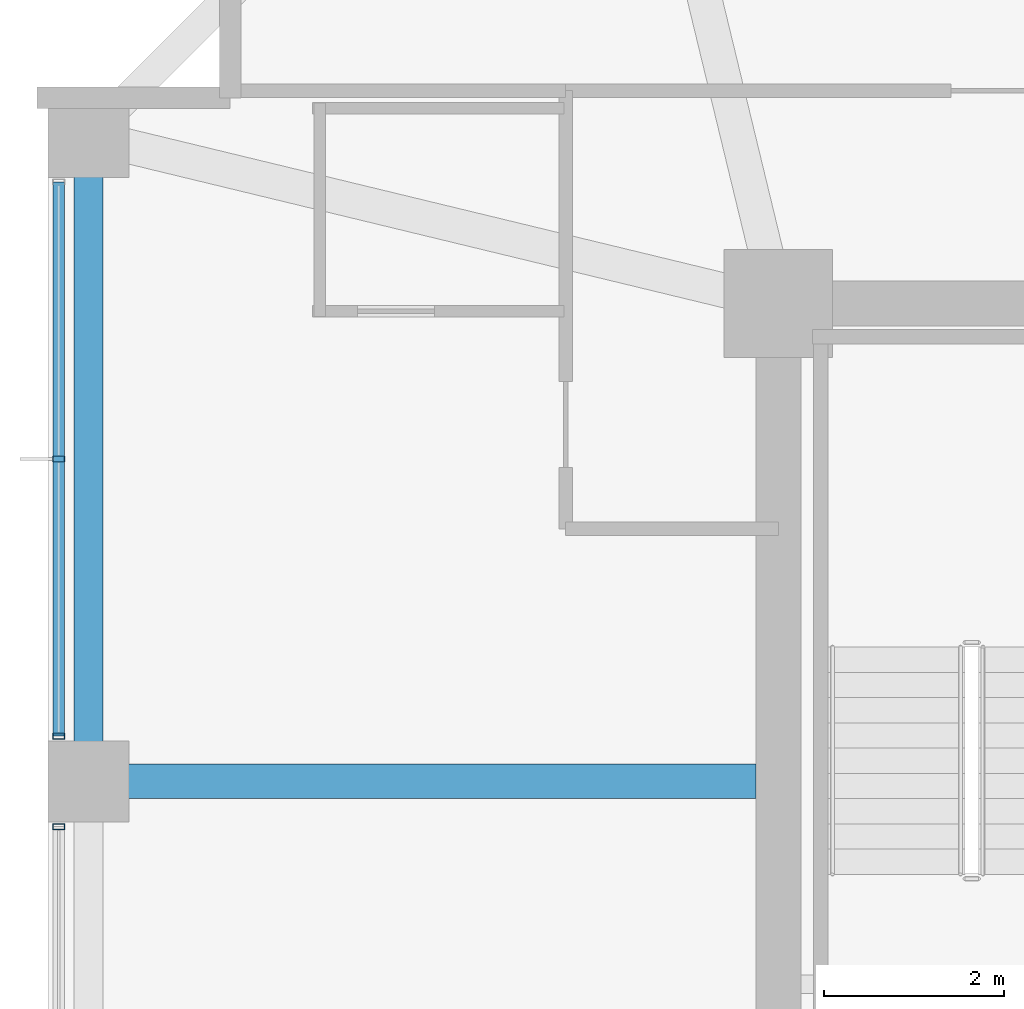
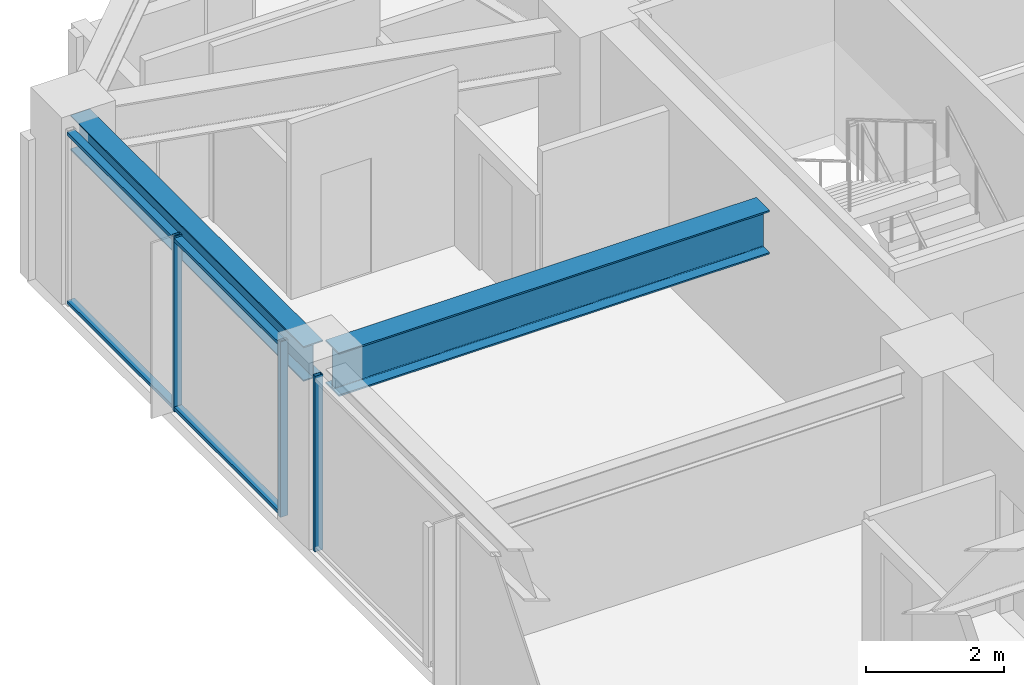
# One storey, part 11 of 31: 5 members, 2 beams, 2 elements without a shape of their own.
"""IFC4 building model written with IfcOpenShell, lengths in metres."""

import ifcopenshell
import ifcopenshell.guid

model = None  # the IFC model being written
_history = None  # IfcOwnerHistory: only IFC2X3 demands one
_inside = {}  # id of a spatial element -> (the spatial element, [elements in it])
_under = {}  # id of a project, library or spatial element -> (it, [spatial elements below it])
_declared = {}  # id of a project -> (the project, [libraries it declares])
_typed = {}  # id of a type object -> (the type object, [elements of that type])
_made_of = {}  # id of a material, layer set ... -> (it, [elements and type objects made of it])


def new_model(schema):
    """Start an empty IFC model of exactly this schema.

    Asked for "IFC4X3", IfcOpenShell would pick the latest addendum, in which some entities
    have other attributes; the version numbers below select the first issue.
    IFC2X3 requires an IfcOwnerHistory on every rooted entity: one is made here for all.
    """
    global model, _history
    if schema == "IFC4X3":
        model = ifcopenshell.file(schema_version=(4, 3, 0, 0))
    else:
        model = ifcopenshell.file(schema=schema)
    _inside.clear()
    _under.clear()
    _declared.clear()
    _typed.clear()
    _made_of.clear()
    _history = None
    if model.schema == "IFC2X3":
        org = make("IfcOrganization", Name="unknown")
        user = make(
            "IfcPersonAndOrganization",
            ThePerson=make("IfcPerson", FamilyName="unknown"),
            TheOrganization=org,
        )
        app = make(
            "IfcApplication",
            ApplicationDeveloper=org,
            Version="unknown",
            ApplicationFullName="unknown",
            ApplicationIdentifier="unknown",
        )
        _history = make(
            "IfcOwnerHistory",
            OwningUser=user,
            OwningApplication=app,
            ChangeAction="ADDED",
            CreationDate=0,
        )
    return model


def make(cls, **values):
    """One entity of the class cls with the attributes given. An attribute that is None is left unset."""
    return model.create_entity(
        cls, **{name: value for name, value in values.items() if value is not None}
    )


def rooted(cls, **values):
    """An entity with a GlobalId (a new one), such as an element, a storey or a relation."""
    return make(cls, GlobalId=ifcopenshell.guid.new(), OwnerHistory=_history, **values)


def si_unit(unit_type, name, prefix=None):
    """IfcSIUnit, for example si_unit("LENGTHUNIT", "METRE", prefix="MILLI")."""
    return make("IfcSIUnit", UnitType=unit_type, Prefix=prefix, Name=name)


def assignment(units):
    """IfcUnitAssignment: the units of a project."""
    return None if units is None else make("IfcUnitAssignment", Units=units)


def point(xyz):
    """IfcCartesianPoint."""
    return None if xyz is None else make("IfcCartesianPoint", Coordinates=xyz)


def direction(xyz):
    """IfcDirection."""
    return None if xyz is None else make("IfcDirection", DirectionRatios=xyz)


def frame(location, z_axis=None, x_axis=None):
    """IfcAxis2Placement3D, a coordinate frame: its origin and axes. An axis left out is left unset."""
    return make(
        "IfcAxis2Placement3D",
        Location=point(location),
        Axis=direction(z_axis),
        RefDirection=direction(x_axis),
    )


def frame_2d(location, x_axis=None):
    """IfcAxis2Placement2D, a coordinate frame in the plane: its origin and x axis."""
    return make(
        "IfcAxis2Placement2D", Location=point(location), RefDirection=direction(x_axis)
    )


def origin():
    """The frame at (0, 0, 0) with its axes left unset."""
    return frame((0.0, 0.0, 0.0))


def origin_2d():
    """The frame at (0, 0) in the plane with its x axis left unset."""
    return frame_2d((0.0, 0.0))


def place(relative_to, where):
    """IfcLocalPlacement: puts the frame where relative to a parent placement (None: the world)."""
    return make(
        "IfcLocalPlacement", PlacementRelTo=relative_to, RelativePlacement=where
    )


def context(
    kind, dimensions, precision=None, world=None, true_north=None, identifier=None
):
    """IfcGeometricRepresentationContext, for example the 3D "Model" context."""
    return make(
        "IfcGeometricRepresentationContext",
        ContextIdentifier=identifier,
        ContextType=kind,
        CoordinateSpaceDimension=dimensions,
        Precision=precision,
        WorldCoordinateSystem=world,
        TrueNorth=true_north,
    )


def subcontext(parent, identifier, kind, view, scale=None):
    """IfcGeometricRepresentationSubContext, for example "Body" below "Model"."""
    return make(
        "IfcGeometricRepresentationSubContext",
        ContextIdentifier=identifier,
        ContextType=kind,
        ParentContext=parent,
        TargetScale=scale,
        TargetView=view,
    )


def project(units=None, contexts=None):
    """IfcProject with its units and contexts."""
    return rooted(
        "IfcProject",
        Name="project",
        RepresentationContexts=contexts,
        UnitsInContext=assignment(units),
    )


def spatial(cls, under=None, at=None, **own):
    """A site, building, storey or space (cls), placed at a placement, below another one or the project."""
    s = rooted(cls, ObjectPlacement=at, **own)
    if under is not None:
        _under.setdefault(under.id(), (under, []))[1].append(s)
    return s


def profile(cls, at=None, kind="AREA", **sizes):
    """A parametric profile (cls). Its sizes go by their IFC names, for example OverallWidth=200.0."""
    return make(cls, ProfileType=kind, Position=at, **sizes)


def hollow_rectangle(**sizes):
    """IfcRectangleHollowProfileDef."""
    return profile("IfcRectangleHollowProfileDef", **sizes)


def i_section(**sizes):
    """IfcIShapeProfileDef."""
    return profile("IfcIShapeProfileDef", **sizes)


def extrude(swept, where, along, depth):
    """IfcExtrudedAreaSolid: the profile swept, set in the frame where, extruded along a direction by depth."""
    return make(
        "IfcExtrudedAreaSolid",
        SweptArea=swept,
        Position=where,
        ExtrudedDirection=direction(along),
        Depth=depth,
    )


def shape(context_of_items, identifier, shape_type, items):
    """IfcShapeRepresentation: the items that make up one representation, for example the "Body"."""
    return make(
        "IfcShapeRepresentation",
        ContextOfItems=context_of_items,
        RepresentationIdentifier=identifier,
        RepresentationType=shape_type,
        Items=items,
    )


def material(Name=None, Category=None):
    """IfcMaterial."""
    return make("IfcMaterial", Name=Name, Category=Category)


def material_profile(
    of_material, cross_section, Name=None, Category=None, Priority=None
):
    """IfcMaterialProfile: a cross section and its material."""
    return make(
        "IfcMaterialProfile",
        Name=Name,
        Material=of_material,
        Profile=cross_section,
        Priority=Priority,
        Category=Category,
    )


def profile_set(profiles, Name=None, composite=None):
    """IfcMaterialProfileSet."""
    return make(
        "IfcMaterialProfileSet",
        Name=Name,
        MaterialProfiles=profiles,
        CompositeProfile=composite,
    )


def made_of(thing, what):
    """Note that an element or type object is made of a material, layer set ...; save() writes the relation."""
    if what is not None:
        _made_of.setdefault(what.id(), (what, []))[1].append(thing)
    return thing


def type_object(cls, material=None, **own):
    """A type object (cls), such as IfcWallType, which elements share."""
    return made_of(rooted(cls, **own), material)


def element(
    cls,
    number,
    at=None,
    inside=None,
    cuts=None,
    type_object=None,
    material=None,
    context=None,
    identifier="Body",
    shape_type=None,
    held_by="IfcProductDefinitionShape",
    body=None,
    shapes=None,
    **own,
):
    """One element of the class cls, such as IfcWall. Its Tag is "e" and its number.

    at: its placement. inside: the storey or other place that contains it. cuts: it is an
    opening in that element (IfcRelVoidsElement). A single representation is given by context,
    identifier, shape_type and body (its items); several are given by shapes. held_by: the class
    of the entity that holds the representations. save() writes the other relations.
    """
    e = rooted(cls, Tag="e%d" % number, ObjectPlacement=at, **own)
    if body is not None:
        shapes = [shape(context, identifier, shape_type, body)]
    if shapes is not None:
        e.Representation = make(held_by, Representations=shapes)
    if inside is not None:
        _inside.setdefault(inside.id(), (inside, []))[1].append(e)
    if cuts is not None:
        rooted(
            "IfcRelVoidsElement", RelatingBuildingElement=cuts, RelatedOpeningElement=e
        )
    if type_object is not None:
        _typed.setdefault(type_object.id(), (type_object, []))[1].append(e)
    return made_of(e, material)


def aggregate(whole, parts):
    """IfcRelAggregates: a whole, such as a stair, and the parts it consists of."""
    return rooted("IfcRelAggregates", RelatingObject=whole, RelatedObjects=parts)


def save(model, path):
    """Write the relations noted so far, then the file.

    IfcRelAggregates (storeys below a building ...), IfcRelContainedInSpatialStructure (elements
    in a storey), IfcRelDefinesByType, IfcRelAssociatesMaterial and IfcRelDeclares: one each for
    every whole, place, type object, material and project.
    """
    for whole, parts in _under.values():
        aggregate(whole, parts)
    for where, things in _inside.values():
        rooted(
            "IfcRelContainedInSpatialStructure",
            RelatedElements=things,
            RelatingStructure=where,
        )
    for kind, things in _typed.values():
        rooted("IfcRelDefinesByType", RelatedObjects=things, RelatingType=kind)
    for what, things in _made_of.values():
        rooted("IfcRelAssociatesMaterial", RelatedObjects=things, RelatingMaterial=what)
    for by, libraries in _declared.values():
        rooted("IfcRelDeclares", RelatingContext=by, RelatedDefinitions=libraries)
    model.write(path)


model = new_model("IFC4")

# Units and contexts
model_context = context("Model", 3, precision=1e-05, world=origin(), true_north=direction((0.0, 1.0)))
body_context = subcontext(model_context, "Body", "Model", "MODEL_VIEW")
ifc_project = project(units=[si_unit("LENGTHUNIT", "METRE"), si_unit("AREAUNIT", "SQUARE_METRE"), si_unit("VOLUMEUNIT", "CUBIC_METRE"), si_unit("PLANEANGLEUNIT", "RADIAN"), si_unit("MASSUNIT", "GRAM", prefix="KILO")], contexts=[model_context])

# Site, building, storey
site_placement = place(None, origin())
site = spatial("IfcSite", under=ifc_project, at=site_placement, CompositionType="ELEMENT")
building_placement = place(site_placement, origin())
building = spatial("IfcBuilding", under=site, at=building_placement, Name="Kolvaren Belvedere", CompositionType="ELEMENT")
storey_placement = place(building_placement, frame((0.0, 0.0, 138.199951171875)))
storey = spatial("IfcBuildingStorey", under=building, at=storey_placement, Name="L40", CompositionType="ELEMENT", Elevation=138.199951171875)

# Beams
ifc_material_1 = material(Name="Structural steel ASTM A992 Grade 50", Category="steel")
ifc_material_profile_1 = material_profile(ifc_material_1, i_section(OverallWidth=0.381103515625, OverallDepth=0.77294921875, WebThickness=0.0166015625, FlangeThickness=0.027099609375, FilletRadius=0.02392578125, at=origin_2d()), Name="W30X173")
ifc_profile_set_1 = profile_set([ifc_material_profile_1], Name="Structural steel ASTM A992 Grade 50")
beam_type_1 = type_object("IfcBeamType", Name="BM-GIRD-W30X173", PredefinedType="BEAM", material=ifc_profile_set_1)
beam_1_placement = place(storey_placement, frame((-10.14990234375, 4.60009765625, 2.713623046875), z_axis=(-1.0, 0.0, 0.0), x_axis=(0.0, -1.0, 0.0)))
element("IfcBeam", 1, at=beam_1_placement, inside=storey, type_object=beam_type_1, Name="L40 West Radial Girder P", PredefinedType="BEAM", context=body_context, shape_type="SweptSolid", body=[
    extrude(i_section(OverallWidth=0.381103515625, OverallDepth=0.77294921875, WebThickness=0.0166015625, FlangeThickness=0.027099609375, FilletRadius=0.02392578125, at=origin_2d()), origin(), (0.0, 0.0, 1.0), 7.197509765625),
])
ifc_material_2 = material(Name="Structural steel ASTM A992 Grade 50", Category="steel")
ifc_material_profile_2 = material_profile(ifc_material_2, i_section(OverallWidth=0.324951171875, OverallDepth=0.615966796875, WebThickness=0.013916015625, FlangeThickness=0.021484375, FilletRadius=0.02001953125, at=origin_2d()), Name="W24X117")
ifc_profile_set_2 = profile_set([ifc_material_profile_2], Name="Structural steel ASTM A992 Grade 50")
beam_type_2 = type_object("IfcBeamType", Name="BM-SPAN-W24X117", PredefinedType="SPANDREL", material=ifc_profile_set_2)
beam_2_placement = place(storey_placement, frame((-17.550048828125, 11.547607421875, 2.7919921875), z_axis=(0.0, -1.0, 0.0), x_axis=(1.0, 0.0, 0.0)))
element("IfcBeam", 2, at=beam_2_placement, inside=storey, type_object=beam_type_2, Name="L40 Perimeter Spandrel W4-W3", PredefinedType="SPANDREL", context=body_context, shape_type="SweptSolid", body=[
    extrude(i_section(OverallWidth=0.324951171875, OverallDepth=0.615966796875, WebThickness=0.013916015625, FlangeThickness=0.021484375, FilletRadius=0.02001953125, at=origin_2d()), origin(), (0.0, 0.0, 1.0), 6.7451171875),
])

# Curtain wall, member
ifc_material_3 = material(Name="Anodised pale-metal aluminium AA 6063-T6", Category="aluminium")
curtain_wall_type = type_object("IfcCurtainWallType", Name="CW-Z3-WAIST", PredefinedType="NOTDEFINED", material=ifc_material_3)
curtain_wall_1_placement = place(storey_placement, origin())
curtain_wall_1 = element("IfcCurtainWall", 3, at=curtain_wall_1_placement, inside=storey, type_object=curtain_wall_type, Name="L40 Unitised Curtain Wall FCW-L40-W-B2", PredefinedType="NOTDEFINED")
ifc_material_4 = material(Name="Anodised pale-metal aluminium AA 6063-T6", Category="aluminium")
ifc_material_profile_3 = material_profile(ifc_material_4, hollow_rectangle(XDim=0.06494140625, YDim=0.1298828125, WallThickness=0.00390625, at=origin_2d()), Name="ALU-MUL-130X65")
ifc_profile_set_3 = profile_set([ifc_material_profile_3], Name="Anodised pale-metal aluminium AA 6063-T6")
member_type_1 = type_object("IfcMemberType", Name="CW-MUL-130", PredefinedType="MULLION", material=ifc_profile_set_3)
member_1_placement = place(storey_placement, frame((-17.8798828125, 4.097412109375, 0.0), z_axis=(0.0, 0.0, 1.0), x_axis=(0.0, 1.0, 0.0)))
member_1 = element("IfcMember", 4, at=member_1_placement, type_object=member_type_1, Name="FCW-L40-W-B2 Unitised Mullion 3", PredefinedType="MULLION", context=body_context, shape_type="SweptSolid", body=[
    extrude(hollow_rectangle(XDim=0.06494140625, YDim=0.1298828125, WallThickness=0.00390625, at=origin_2d()), origin(), (0.0, 0.0, 1.0), 3.10009765625),
])
aggregate(curtain_wall_1, [member_1])

# Curtain wall, members
curtain_wall_2_placement = place(storey_placement, origin())
curtain_wall_2 = element("IfcCurtainWall", 5, at=curtain_wall_2_placement, inside=storey, type_object=curtain_wall_type, Name="L40 Unitised Curtain Wall FCW-L40-W-B3", PredefinedType="NOTDEFINED")
member_2_placement = place(storey_placement, frame((-17.8798828125, 5.1025390625, 0.0), z_axis=(0.0, 0.0, 1.0), x_axis=(0.0, 1.0, 0.0)))
member_2 = element("IfcMember", 6, at=member_2_placement, type_object=member_type_1, Name="FCW-L40-W-B3 Unitised Mullion 1", PredefinedType="MULLION", context=body_context, shape_type="SweptSolid", body=[
    extrude(hollow_rectangle(XDim=0.06494140625, YDim=0.1298828125, WallThickness=0.00390625, at=origin_2d()), origin(), (0.0, 0.0, 1.0), 3.10009765625),
])
member_3_placement = place(storey_placement, frame((-17.8798828125, 8.175048828125, 0.0), z_axis=(0.0, 0.0, 1.0), x_axis=(0.0, 1.0, 0.0)))
member_3 = element("IfcMember", 7, at=member_3_placement, type_object=member_type_1, Name="FCW-L40-W-B3 Unitised Mullion 2", PredefinedType="MULLION", context=body_context, shape_type="SweptSolid", body=[
    extrude(hollow_rectangle(XDim=0.06494140625, YDim=0.1298828125, WallThickness=0.00390625, at=origin_2d()), origin(), (0.0, 0.0, 1.0), 3.10009765625),
])
ifc_material_5 = material(Name="Anodised pale-metal aluminium AA 6063-T6", Category="aluminium")
ifc_material_profile_4 = material_profile(ifc_material_5, hollow_rectangle(XDim=0.06005859375, YDim=0.1298828125, WallThickness=0.00390625, at=origin_2d()), Name="ALU-TRN-130X60")
ifc_profile_set_4 = profile_set([ifc_material_profile_4], Name="Anodised pale-metal aluminium AA 6063-T6")
member_type_2 = type_object("IfcMemberType", Name="CW-TRN-130", PredefinedType="USERDEFINED", material=ifc_profile_set_4)
member_4_placement = place(storey_placement, frame((-17.8798828125, 5.1025390625, 0.06005859375), z_axis=(0.0, 1.0, 0.0), x_axis=(0.0, 0.0, 1.0)))
member_4 = element("IfcMember", 8, at=member_4_placement, type_object=member_type_2, Name="FCW-L40-W-B3 Sill Transom", ObjectType="TRANSOM", PredefinedType="USERDEFINED", context=body_context, shape_type="SweptSolid", body=[
    extrude(hollow_rectangle(XDim=0.06005859375, YDim=0.1298828125, WallThickness=0.00390625, at=origin_2d()), origin(), (0.0, 0.0, 1.0), 6.14501953125),
])
member_5_placement = place(storey_placement, frame((-17.8798828125, 5.1025390625, 3.0400390625), z_axis=(0.0, 1.0, 0.0), x_axis=(0.0, 0.0, 1.0)))
member_5 = element("IfcMember", 9, at=member_5_placement, type_object=member_type_2, Name="FCW-L40-W-B3 Head Transom", ObjectType="TRANSOM", PredefinedType="USERDEFINED", context=body_context, shape_type="SweptSolid", body=[
    extrude(hollow_rectangle(XDim=0.06005859375, YDim=0.1298828125, WallThickness=0.00390625, at=origin_2d()), origin(), (0.0, 0.0, 1.0), 6.14501953125),
])
aggregate(curtain_wall_2, [member_2, member_3, member_4, member_5])

save(model, "model.ifc")
